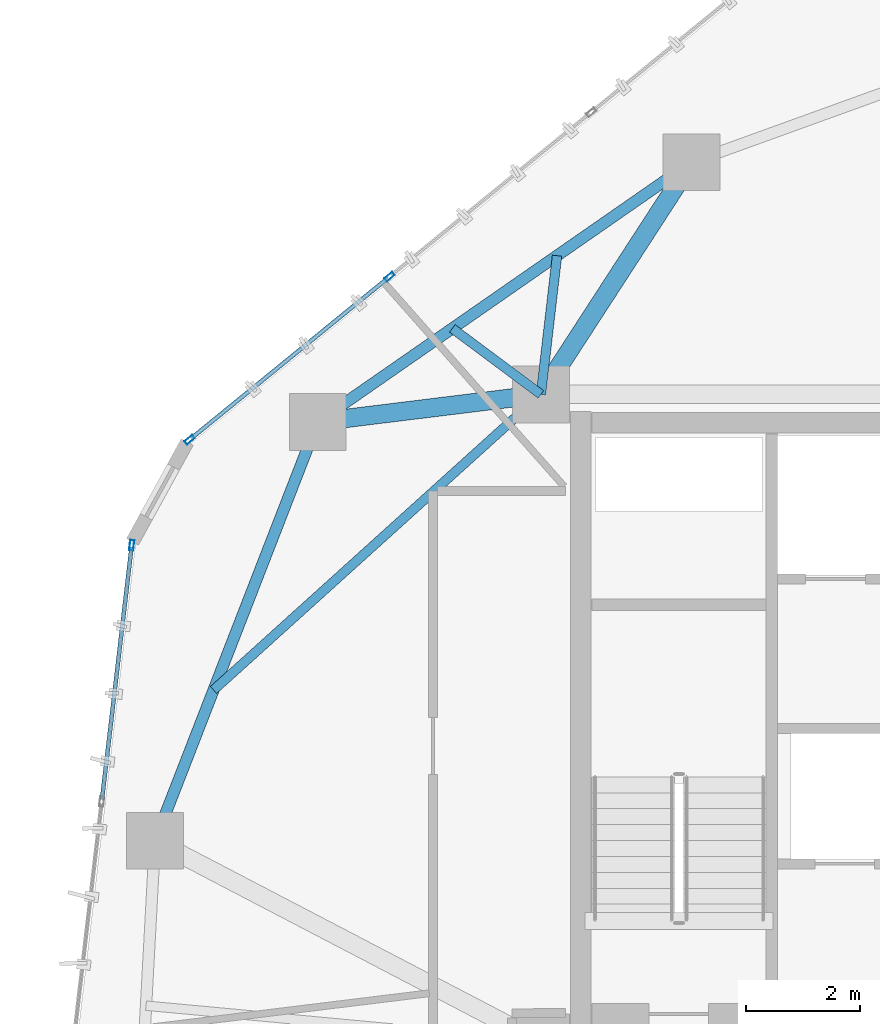
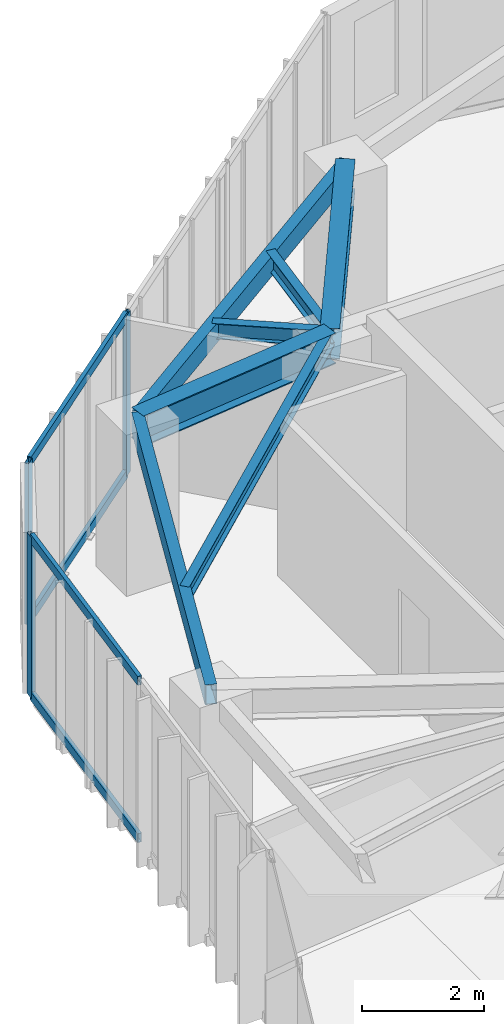
# One storey, part 9 of 22: 7 beams, 7 members, 2 elements without a shape of their own.
"""IFC4 building model written with IfcOpenShell, lengths in metres."""

from ifc_helpers import new_model, si_unit, direction, frame, origin, origin_2d, place, context, subcontext, project, spatial, hollow_rectangle, i_section, extrude, source, transform, mapped, material, layer, layer_set, material_profile, profile_set, type_object, type_shapes, element, aggregate, save


model = new_model("IFC4")

# Units and contexts
model_context = context("Model", 3, precision=1e-05, world=origin(), true_north=direction((0.0, 1.0)))
body_context = subcontext(model_context, "Body", "Model", "MODEL_VIEW")
ifc_project = project(units=[si_unit("LENGTHUNIT", "METRE"), si_unit("AREAUNIT", "SQUARE_METRE"), si_unit("VOLUMEUNIT", "CUBIC_METRE"), si_unit("PLANEANGLEUNIT", "RADIAN"), si_unit("MASSUNIT", "GRAM", prefix="KILO")], contexts=[model_context])

# Site, building, storey
site_placement = place(None, origin())
site = spatial("IfcSite", under=ifc_project, at=site_placement, CompositionType="ELEMENT")
building_placement = place(site_placement, origin())
building = spatial("IfcBuilding", under=site, at=building_placement, Name="Talar Marvaseh", CompositionType="ELEMENT")
storey_placement = place(building_placement, frame((0.0, 0.0, 208.199951171875)))
storey = spatial("IfcBuildingStorey", under=building, at=storey_placement, Name="L54", CompositionType="ELEMENT", Elevation=208.199951171875)

# Beams
ifc_material_1 = material(Name="Steel S355", Category="steel")
ifc_material_profile_1 = material_profile(ifc_material_1, hollow_rectangle(XDim=0.199951171875, YDim=0.39990234375, WallThickness=0.013916015625, at=origin_2d()), Name="RHS400x200x14")
ifc_profile_set_1 = profile_set([ifc_material_profile_1], Name="Steel S355")
beam_type_1 = type_object("IfcBeamType", Name="Zone 3 Perimeter Spandrel Beam RHS400x200x14", PredefinedType="SPANDREL", material=ifc_profile_set_1)
beam_1_placement = place(storey_placement, frame((11.908935546875, 29.044921875, 3.030029296875), z_axis=(0.362169134611, 0.932112395548, 0.0), x_axis=(-0.932112395548, 0.362169134611, 0.0)))
element("IfcBeam", 1, at=beam_1_placement, inside=storey, type_object=beam_type_1, Name="L54 Zone 3 Perimeter Spandrel Beam RHS400x200x14", PredefinedType="SPANDREL", context=body_context, shape_type="SweptSolid", body=[
    extrude(hollow_rectangle(XDim=0.199951171875, YDim=0.39990234375, WallThickness=0.013916015625, at=origin_2d()), origin(), (0.0, 0.0, 1.0), 7.907958984375),
])
beam_2_placement = place(storey_placement, frame((14.77294921875, 36.416015625, 3.030029296875), z_axis=(0.821296978901, 0.570500896098, 0.0), x_axis=(-0.570500896098, 0.821296978901, 0.0)))
element("IfcBeam", 2, at=beam_2_placement, inside=storey, type_object=beam_type_1, Name="L54 Zone 3 Perimeter Spandrel Beam RHS400x200x14", PredefinedType="SPANDREL", context=body_context, shape_type="SweptSolid", body=[
    extrude(hollow_rectangle(XDim=0.199951171875, YDim=0.39990234375, WallThickness=0.013916015625, at=origin_2d()), origin(), (0.0, 0.0, 1.0), 8.0107421875),
])
ifc_material_profile_2 = material_profile(ifc_material_1, i_section(OverallWidth=0.324951171875, OverallDepth=0.615966796875, WebThickness=0.013916015625, FlangeThickness=0.021484375, at=origin_2d()), Name="W610x174")
ifc_profile_set_2 = profile_set([ifc_material_profile_2], Name="Steel S355")
beam_type_2 = type_object("IfcBeamType", Name="Zone 3 Radial Floor Girder W610x174", PredefinedType="BEAM", material=ifc_profile_set_2)
beam_3_placement = place(storey_placement, frame((14.77294921875, 36.416015625, 2.922119140625), z_axis=(0.99249373738, 0.122295467049, 0.0), x_axis=(-0.122295467049, 0.99249373738, 0.0)))
element("IfcBeam", 3, at=beam_3_placement, inside=storey, type_object=beam_type_2, Name="L54 Zone 3 Radial Floor Girder W610x174", PredefinedType="BEAM", context=body_context, shape_type="SweptSolid", body=[
    extrude(i_section(OverallWidth=0.324951171875, OverallDepth=0.615966796875, WebThickness=0.013916015625, FlangeThickness=0.021484375, at=origin_2d()), origin(), (0.0, 0.0, 1.0), 3.956787109375),
])
beam_4_placement = place(storey_placement, frame((21.35205078125, 40.986083984375, 2.922119140625), z_axis=(-0.544422757063, -0.838810980849, 0.0), x_axis=(0.838810980849, -0.544422757063, 0.0)))
element("IfcBeam", 4, at=beam_4_placement, inside=storey, type_object=beam_type_2, Name="L54 Zone 3 Radial Floor Girder W610x174", PredefinedType="BEAM", context=body_context, shape_type="SweptSolid", body=[
    extrude(i_section(OverallWidth=0.324951171875, OverallDepth=0.615966796875, WebThickness=0.013916015625, FlangeThickness=0.021484375, at=origin_2d()), origin(), (0.0, 0.0, 1.0), 4.871337890625),
])
ifc_material_profile_3 = material_profile(ifc_material_1, i_section(OverallWidth=0.166015625, OverallDepth=0.31298828125, WebThickness=0.006591796875, FlangeThickness=0.01123046875, at=origin_2d()), Name="W310x45")
ifc_profile_set_3 = profile_set([ifc_material_profile_3], Name="Steel S355")
beam_type_3 = type_object("IfcBeamType", Name="Zone 3 Secondary Floor Joist W310x45", PredefinedType="JOIST", material=ifc_profile_set_3)
beam_5_placement = place(storey_placement, frame((12.93994140625, 31.698486328125, 3.073486328125), z_axis=(0.74217784775, 0.670202985899, 0.0), x_axis=(-0.670202985899, 0.74217784775, 0.0)))
element("IfcBeam", 5, at=beam_5_placement, inside=storey, type_object=beam_type_3, Name="L54 Zone 3 Secondary Floor Joist W310x45", PredefinedType="JOIST", context=body_context, shape_type="SweptSolid", body=[
    extrude(i_section(OverallWidth=0.166015625, OverallDepth=0.31298828125, WebThickness=0.006591796875, FlangeThickness=0.01123046875, at=origin_2d()), origin(), (0.0, 0.0, 1.0), 7.760986328125),
])
beam_6_placement = place(storey_placement, frame((17.141357421875, 38.061279296875, 3.073486328125), z_axis=(0.801865127607, -0.597505077072, 0.0), x_axis=(0.597505077072, 0.801865127607, 0.0)))
element("IfcBeam", 6, at=beam_6_placement, inside=storey, type_object=beam_type_3, Name="L54 Zone 3 Secondary Floor Joist W310x45", PredefinedType="JOIST", context=body_context, shape_type="SweptSolid", body=[
    extrude(i_section(OverallWidth=0.166015625, OverallDepth=0.31298828125, WebThickness=0.006591796875, FlangeThickness=0.01123046875, at=origin_2d()), origin(), (0.0, 0.0, 1.0), 1.943603515625),
])
beam_7_placement = place(storey_placement, frame((18.983642578125, 39.3408203125, 3.073486328125), z_axis=(-0.115446145895, -0.993313740667, 0.0), x_axis=(0.993313740667, -0.115446145895, 0.0)))
element("IfcBeam", 7, at=beam_7_placement, inside=storey, type_object=beam_type_3, Name="L54 Zone 3 Secondary Floor Joist W310x45", PredefinedType="JOIST", context=body_context, shape_type="SweptSolid", body=[
    extrude(i_section(OverallWidth=0.166015625, OverallDepth=0.31298828125, WebThickness=0.006591796875, FlangeThickness=0.01123046875, at=origin_2d()), origin(), (0.0, 0.0, 1.0), 2.457275390625),
])

# Curtain wall, member
ifc_material_2 = material(Name="Architectural Aluminium", Category="aluminium")
ifc_layer = layer(ifc_material_2, 0.18994140625)
ifc_layer_set = layer_set([ifc_layer], Name="Architectural Aluminium")
curtain_wall_type = type_object("IfcCurtainWallType", Name="Unitised Solar Atelier Curtain Wall Z3", PredefinedType="NOTDEFINED", material=ifc_layer_set)
curtain_wall_1_placement = place(storey_placement, origin())
curtain_wall_1 = element("IfcCurtainWall", 8, at=curtain_wall_1_placement, inside=storey, type_object=curtain_wall_type, Name="L54 Unitised Solar Atelier Curtain Wall Z3", PredefinedType="NOTDEFINED")
ifc_material_profile_4 = material_profile(ifc_material_2, hollow_rectangle(XDim=0.074951171875, YDim=0.179931640625, WallThickness=0.0048828125, at=origin_2d()), Name="RHS180x75x5")
ifc_profile_set_4 = profile_set([ifc_material_profile_4], Name="Architectural Aluminium")
member_type_1 = type_object("IfcMemberType", Name="Unitised Curtain Wall Standard Mullion RHS180x75x5", PredefinedType="MULLION", material=ifc_profile_set_4)
shared_shape_1 = source(origin(), body_context, "Body", "SweptSolid", [
    extrude(hollow_rectangle(XDim=0.074951171875, YDim=0.179931640625, WallThickness=0.0048828125, at=origin_2d()), origin(), (0.0, 0.0, 1.0), 3.22998046875),
])
type_shapes(member_type_1, [shared_shape_1])
member_1_placement = place(storey_placement, frame((11.501220703125, 34.24658203125, 0.0), z_axis=(0.0, 0.0, 1.0), x_axis=(-0.993206413634, 0.116365888114, 0.0)))
member_1 = element("IfcMember", 9, at=member_1_placement, type_object=member_type_1, Name="CW-Z3 mullion 4", PredefinedType="MULLION", context=body_context, shape_type="MappedRepresentation", body=[
    mapped(shared_shape_1, transform((0.0, 0.0, 0.0), x_axis=(1.0, 0.0, 0.0), y_axis=(0.0, 1.0, 0.0), z_axis=(0.0, 0.0, 1.0), scale=1.0)),
])

# Curtain wall, members
curtain_wall_2_placement = place(storey_placement, origin())
curtain_wall_2 = element("IfcCurtainWall", 10, at=curtain_wall_2_placement, inside=storey, type_object=curtain_wall_type, Name="L54 Unitised Solar Atelier Curtain Wall Z3", PredefinedType="NOTDEFINED")
member_2_placement = place(storey_placement, frame((12.519775390625, 36.103271484375, 0.0), z_axis=(0.0, 0.0, 1.0), x_axis=(-0.63178365744, 0.775144767248, 0.0)))
member_2 = element("IfcMember", 11, at=member_2_placement, type_object=member_type_1, Name="CW-Z3 mullion 1", PredefinedType="MULLION", context=body_context, shape_type="MappedRepresentation", body=[
    mapped(shared_shape_1, transform((0.0, 0.0, 0.0), x_axis=(1.0, 0.0, 0.0), y_axis=(0.0, 1.0, 0.0), z_axis=(0.0, 0.0, 1.0), scale=1.0)),
])
member_3_placement = place(storey_placement, frame((16.03857421875, 38.971435546875, 0.0), z_axis=(0.0, 0.0, 1.0), x_axis=(-0.63178365744, 0.775144767248, 0.0)))
member_3 = element("IfcMember", 12, at=member_3_placement, type_object=member_type_1, Name="CW-Z3 mullion 2", PredefinedType="MULLION", context=body_context, shape_type="MappedRepresentation", body=[
    mapped(shared_shape_1, transform((0.0, 0.0, 0.0), x_axis=(1.0, 0.0, 0.0), y_axis=(0.0, 1.0, 0.0), z_axis=(0.0, 0.0, 1.0), scale=1.0)),
])
ifc_material_profile_5 = material_profile(ifc_material_2, hollow_rectangle(XDim=0.074951171875, YDim=0.179931640625, WallThickness=0.0048828125, at=origin_2d()), Name="RHS180x75x5")
ifc_profile_set_5 = profile_set([ifc_material_profile_5], Name="Architectural Aluminium")
member_type_2 = type_object("IfcMemberType", Name="Unitised Curtain Wall Transom RHS180x75x5", PredefinedType="USERDEFINED", material=ifc_profile_set_5)
shared_shape_2 = source(origin(), body_context, "Body", "SweptSolid", [
    extrude(hollow_rectangle(XDim=0.074951171875, YDim=0.179931640625, WallThickness=0.0048828125, at=origin_2d()), origin(), (0.0, 0.0, 1.0), 4.464599609375),
])
member_4_placement = place(storey_placement, frame((12.548828125, 36.126953125, 0.03759765625), z_axis=(0.775127862918, 0.631804397048, 0.0), x_axis=(-0.631804397048, 0.775127862918, 0.0)))
member_4 = element("IfcMember", 13, at=member_4_placement, type_object=member_type_2, Name="CW-Z3 transom 1.1", ObjectType="TRANSOM", PredefinedType="USERDEFINED", context=body_context, shape_type="MappedRepresentation", body=[
    mapped(shared_shape_2, transform((0.0, 0.0, 0.0), x_axis=(1.0, 0.0, 0.0), y_axis=(0.0, 1.0, 0.0), z_axis=(0.0, 0.0, 1.0), scale=1.0)),
])
member_5_placement = place(storey_placement, frame((12.548828125, 36.126953125, 3.192626953125), z_axis=(0.775127862918, 0.631804397048, 0.0), x_axis=(-0.631804397048, 0.775127862918, 0.0)))
member_5 = element("IfcMember", 14, at=member_5_placement, type_object=member_type_2, Name="CW-Z3 transom 1.2", ObjectType="TRANSOM", PredefinedType="USERDEFINED", context=body_context, shape_type="MappedRepresentation", body=[
    mapped(shared_shape_2, transform((0.0, 0.0, 0.0), x_axis=(1.0, 0.0, 0.0), y_axis=(0.0, 1.0, 0.0), z_axis=(0.0, 0.0, 1.0), scale=1.0)),
])
aggregate(curtain_wall_2, [member_2, member_3, member_4, member_5])

# Member
shared_shape_3 = source(origin(), body_context, "Body", "SweptSolid", [
    extrude(hollow_rectangle(XDim=0.074951171875, YDim=0.179931640625, WallThickness=0.0048828125, at=origin_2d()), origin(), (0.0, 0.0, 1.0), 4.46484375),
])
type_shapes(member_type_2, [shared_shape_2, shared_shape_3])
member_6_placement = place(storey_placement, frame((10.977294921875, 29.77490234375, 0.03759765625), z_axis=(0.116359004861, 0.993207220064, 0.0), x_axis=(-0.993207220064, 0.116359004861, 0.0)))
member_6 = element("IfcMember", 15, at=member_6_placement, type_object=member_type_2, Name="CW-Z3 transom 3.1", ObjectType="TRANSOM", PredefinedType="USERDEFINED", context=body_context, shape_type="MappedRepresentation", body=[
    mapped(shared_shape_3, transform((0.0, 0.0, 0.0), x_axis=(1.0, 0.0, 0.0), y_axis=(0.0, 1.0, 0.0), z_axis=(0.0, 0.0, 1.0), scale=1.0)),
])

member_7_placement = place(storey_placement, frame((10.977294921875, 29.77490234375, 3.192626953125), z_axis=(0.116359004861, 0.993207220064, 0.0), x_axis=(-0.993207220064, 0.116359004861, 0.0)))
member_7 = element("IfcMember", 16, at=member_7_placement, type_object=member_type_2, Name="CW-Z3 transom 3.2", ObjectType="TRANSOM", PredefinedType="USERDEFINED", context=body_context, shape_type="MappedRepresentation", body=[
    mapped(shared_shape_3, transform((0.0, 0.0, 0.0), x_axis=(1.0, 0.0, 0.0), y_axis=(0.0, 1.0, 0.0), z_axis=(0.0, 0.0, 1.0), scale=1.0)),
])

aggregate(curtain_wall_1, [member_1, member_6, member_7])

save(model, "model.ifc")
